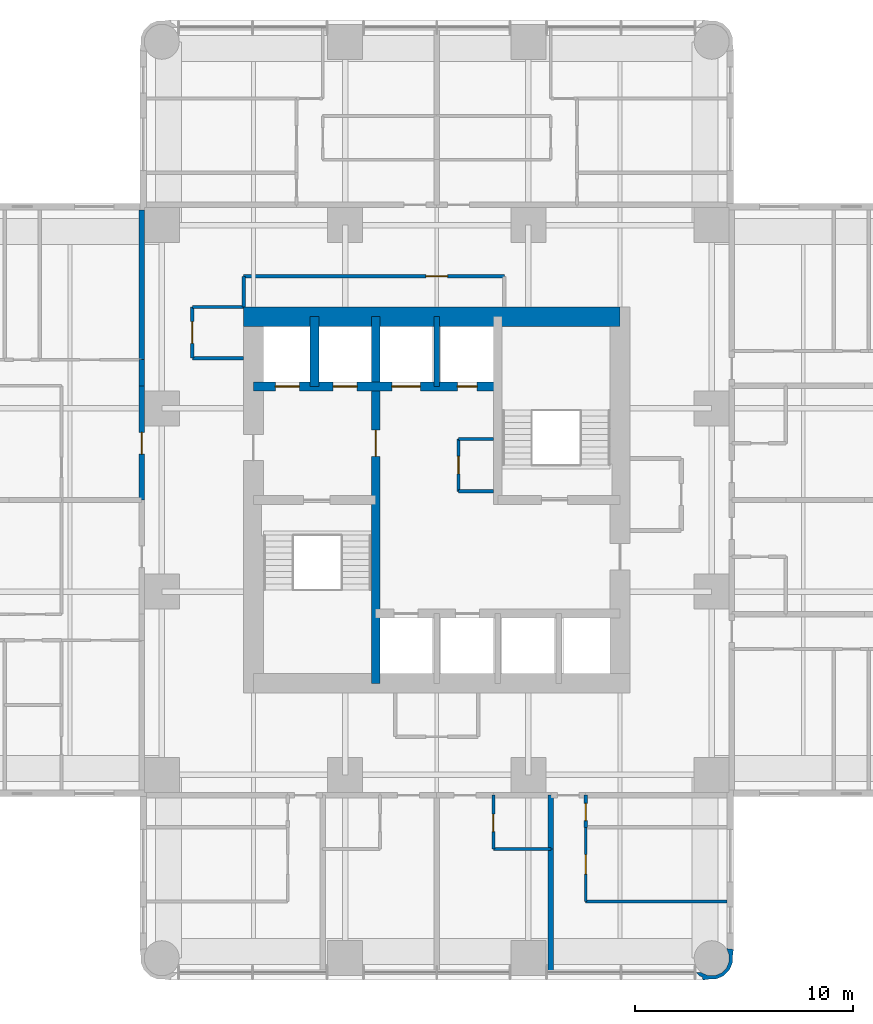
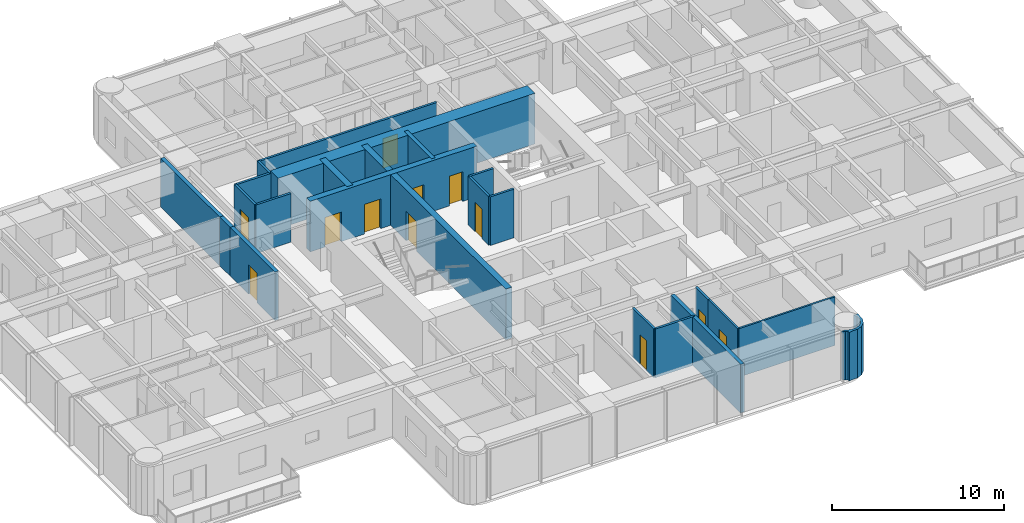
# One storey, part 8 of 14: 24 walls, 12 doors, 12 openings.
"""IFC4 building model written with IfcOpenShell, lengths in metres."""

from ifc_helpers import new_model, si_unit, direction, frame, frame_2d, origin, place, context, subcontext, project, spatial, polyline, rectangle, outline, extrude, material, layer, layer_set, type_object, element, fill, save


model = new_model("IFC4")

# Units and contexts
model_context = context("Model", 3, precision=1e-05, world=origin(), true_north=direction((0.0, 1.0)))
body_context = subcontext(model_context, "Body", "Model", "MODEL_VIEW")
ifc_project = project(units=[si_unit("LENGTHUNIT", "METRE"), si_unit("AREAUNIT", "SQUARE_METRE"), si_unit("VOLUMEUNIT", "CUBIC_METRE"), si_unit("PLANEANGLEUNIT", "RADIAN"), si_unit("MASSUNIT", "GRAM", prefix="KILO")], contexts=[model_context])

# Site, building, storey
site_placement = place(None, origin())
site = spatial("IfcSite", under=ifc_project, at=site_placement, CompositionType="ELEMENT")
building_placement = place(site_placement, origin())
building = spatial("IfcBuilding", under=site, at=building_placement, Name="Torre Alcanfor", CompositionType="ELEMENT")
storey_placement = place(building_placement, frame((0.0, 0.0, 155.699951171875)))
storey = spatial("IfcBuildingStorey", under=building, at=storey_placement, Name="L40", CompositionType="ELEMENT", Elevation=155.699951171875)

# Wall, opening, door
ifc_material_1 = material(Name="Concrete block masonry, hollow blocks NMX-C-404 9 MPa", Category="masonry")
ifc_layer_1 = layer(ifc_material_1, 0.25)
ifc_layer_set_1 = layer_set([ifc_layer_1], Name="Apartment entrance wall 250 EI 60")
wall_type_1 = type_object("IfcWallType", Name="Apartment entrance wall 250 EI 60", PredefinedType="PARTITIONING", material=ifc_layer_set_1)
wall_1_placement = place(storey_placement, frame((15.875, 29.39990234375, 0.0), z_axis=(0.0, 0.0, 1.0), x_axis=(0.0, 1.0, 0.0)))
wall_1 = element("IfcWall", 1, at=wall_1_placement, inside=storey, type_object=wall_type_1, Name="Partition L40-CORR / L40-W2-ZAG", PredefinedType="PARTITIONING", context=body_context, shape_type="SweptSolid", body=[
    extrude(rectangle(XDim=5.22900390625, YDim=0.25, at=frame_2d((2.614501953125, 0.0))), origin(), (0.0, 0.0, 1.0), 3.449951171875),
])
opening_1_placement = place(wall_1_placement, frame((2.10009765625, 0.0, 0.0)))
opening_1 = element("IfcOpeningElement", 2, at=opening_1_placement, cuts=wall_1, Name="Opening D-A1", PredefinedType="OPENING", context=body_context, shape_type="SweptSolid", body=[
    extrude(rectangle(XDim=1.0, YDim=2.10009765625, at=frame_2d((0.5, 1.050048828125))), frame((0.0, 0.135009765625, 0.0), z_axis=(0.0, -1.0, 0.0), x_axis=(1.0, 0.0, 0.0)), (0.0, 0.0, 1.0), 0.27001953125),
])
ifc_material_2 = material(Name="Galvanised steel sheet ASTM A653", Category="steel")
door_type_1 = type_object("IfcDoorType", Name="Apartment entrance door FD60 1000x2100", OperationType="SINGLE_SWING_LEFT", PredefinedType="DOOR", material=ifc_material_2)
door_1_placement = place(opening_1_placement, origin())
door_1 = element("IfcDoor", 3, at=door_1_placement, inside=storey, type_object=door_type_1, Name="Apartment entrance L40-W2", OperationType="SINGLE_SWING_LEFT", OverallHeight=2.10009765625, OverallWidth=1.0, PredefinedType="DOOR", context=body_context, shape_type="SweptSolid", body=[
    extrude(rectangle(XDim=1.0, YDim=2.10009765625, at=frame_2d((0.5, 1.050048828125))), frame((0.0, 0.02490234375, 0.0), z_axis=(0.0, -1.0, 0.0), x_axis=(1.0, 0.0, 0.0)), (0.0, 0.0, 1.0), 0.050048828125),
])
fill(opening_1, door_1)

# Walls
wall_2_placement = place(storey_placement, frame((15.875, 34.62890625, 0.0), z_axis=(0.0, 0.0, 1.0), x_axis=(0.0, 1.0, 0.0)))
element("IfcWall", 4, at=wall_2_placement, inside=storey, type_object=wall_type_1, Name="Partition L40-CORR / L40-W2-HALL", PredefinedType="PARTITIONING", context=body_context, shape_type="SweptSolid", body=[
    extrude(rectangle(XDim=1.2001953125, YDim=0.25, at=frame_2d((0.60009765625, 0.0))), origin(), (0.0, 0.0, 1.0), 3.449951171875),
])
wall_3_placement = place(storey_placement, frame((15.875, 35.8291015625, 0.0), z_axis=(0.0, 0.0, 1.0), x_axis=(0.0, 1.0, 0.0)))
element("IfcWall", 5, at=wall_3_placement, inside=storey, type_object=wall_type_1, Name="Partition L40-CORR / L40-W2-BED3", PredefinedType="PARTITIONING", context=body_context, shape_type="SweptSolid", body=[
    extrude(rectangle(XDim=6.870849609375, YDim=0.25, at=frame_2d((3.435546875, 0.0))), origin(), (0.0, 0.0, 1.0), 3.449951171875),
])

# Wall, opening, door
ifc_material_3 = material(Name="Gypsum board on steel studs", Category="steel")
ifc_layer_2 = layer(ifc_material_3, 0.1201171875)
ifc_layer_set_2 = layer_set([ifc_layer_2], Name="Apartment partition 120")
wall_type_2 = type_object("IfcWallType", Name="Apartment partition 120", PredefinedType="PARTITIONING", material=ifc_layer_set_2)
wall_4_placement = place(storey_placement, frame((36.22900390625, 14.39990234375, 0.0), z_axis=(0.0, 0.0, 1.0), x_axis=(0.0, -1.0, 0.0)))
wall_4 = element("IfcWall", 6, at=wall_4_placement, inside=storey, type_object=wall_type_2, Name="Partition L40-S1B-LIVING / L40-S1B-MASTER", PredefinedType="PARTITIONING", context=body_context, shape_type="SweptSolid", body=[
    extrude(rectangle(XDim=3.39990234375, YDim=0.1201171875, at=frame_2d((1.699951171875, 0.0))), origin(), (0.0, 0.0, 1.0), 3.449951171875),
])
opening_2_placement = place(wall_4_placement, frame((1.25, 0.0, 0.0)))
opening_2 = element("IfcOpeningElement", 7, at=opening_2_placement, cuts=wall_4, Name="Opening D-R1", PredefinedType="OPENING", context=body_context, shape_type="SweptSolid", body=[
    extrude(rectangle(XDim=0.89990234375, YDim=2.10009765625, at=frame_2d((0.449951171875, 1.050048828125))), frame((0.0, 0.070068359375, 0.0), z_axis=(0.0, -1.0, 0.0), x_axis=(1.0, 0.0, 0.0)), (0.0, 0.0, 1.0), 0.14013671875),
])
ifc_material_4 = material(Name="Timber", Category="wood")
door_type_2 = type_object("IfcDoorType", Name="Internal door 900x2100", OperationType="SINGLE_SWING_LEFT", PredefinedType="DOOR", material=ifc_material_4)
door_2_placement = place(opening_2_placement, origin())
door_2 = element("IfcDoor", 8, at=door_2_placement, inside=storey, type_object=door_type_2, Name="Door L40-S1B master", OperationType="SINGLE_SWING_LEFT", OverallHeight=2.10009765625, OverallWidth=0.89990234375, PredefinedType="DOOR", context=body_context, shape_type="SweptSolid", body=[
    extrude(rectangle(XDim=0.89990234375, YDim=2.10009765625, at=frame_2d((0.449951171875, 1.050048828125))), frame((0.0, 0.02490234375, 0.0), z_axis=(0.0, -1.0, 0.0), x_axis=(1.0, 0.0, 0.0)), (0.0, 0.0, 1.0), 0.050048828125),
])
fill(opening_2, door_2)

# Wall
wall_5_placement = place(storey_placement, frame((36.22900390625, 11.0, 0.0), z_axis=(0.0, 0.0, 1.0), x_axis=(1.0, 0.0, 0.0)))
element("IfcWall", 9, at=wall_5_placement, inside=storey, type_object=wall_type_2, Name="Partition L40-S1B-LIVING / L40-S1B-MASTER", PredefinedType="PARTITIONING", context=body_context, shape_type="SweptSolid", body=[
    extrude(rectangle(XDim=6.470947265625, YDim=0.1201171875, at=frame_2d((3.2353515625, 0.0))), origin(), (0.0, 0.0, 1.0), 3.449951171875),
])

# Wall, opening, door
ifc_material_5 = material(Name="Concrete f'c 70 MPa", Category="concrete")
ifc_layer_3 = layer(ifc_material_5, 0.39990234375)
ifc_layer_set_3 = layer_set([ifc_layer_3], Name="Core inner wall 400 f'c70")
wall_type_3 = type_object("IfcWallType", Name="Core inner wall 400 f'c70", PredefinedType="SHEAR", material=ifc_layer_set_3)
wall_6_placement = place(storey_placement, frame((26.60009765625, 21.0, 0.0), z_axis=(0.0, 0.0, 1.0), x_axis=(0.0, 1.0, 0.0)))
wall_6 = element("IfcWall", 10, at=wall_6_placement, inside=storey, type_object=wall_type_3, Name="Core wall X266 L40", PredefinedType="SHEAR", context=body_context, shape_type="SweptSolid", body=[
    extrude(rectangle(XDim=16.800048828125, YDim=0.39990234375, at=frame_2d((8.39990234375, 0.0))), origin(), (0.0, 0.0, 1.0), 3.60009765625),
])
opening_3_placement = place(wall_6_placement, frame((10.39990234375, 0.0, 0.0)))
opening_3 = element("IfcOpeningElement", 11, at=opening_3_placement, cuts=wall_6, Name="Opening D-L1", PredefinedType="OPENING", context=body_context, shape_type="SweptSolid", body=[
    extrude(rectangle(XDim=1.199951171875, YDim=2.10009765625, at=frame_2d((0.60009765625, 1.050048828125))), frame((0.0, 0.2099609375, 0.0), z_axis=(0.0, -1.0, 0.0), x_axis=(1.0, 0.0, 0.0)), (0.0, 0.0, 1.0), 0.419921875),
])
ifc_material_6 = material(Name="Galvanised steel sheet ASTM A653", Category="steel")
door_type_3 = type_object("IfcDoorType", Name="Lobby door FD120 1200x2100", OperationType="SINGLE_SWING_LEFT", PredefinedType="DOOR", material=ifc_material_6)
door_3_placement = place(opening_3_placement, origin())
door_3 = element("IfcDoor", 12, at=door_3_placement, inside=storey, type_object=door_type_3, Name="Lift lobby door L40", OperationType="SINGLE_SWING_LEFT", OverallHeight=2.10009765625, OverallWidth=1.199951171875, PredefinedType="DOOR", context=body_context, shape_type="SweptSolid", body=[
    extrude(rectangle(XDim=1.199951171875, YDim=2.10009765625, at=frame_2d((0.60009765625, 1.050048828125))), frame((0.0, 0.02490234375, 0.0), z_axis=(0.0, -1.0, 0.0), x_axis=(1.0, 0.0, 0.0)), (0.0, 0.0, 1.0), 0.050048828125),
])
fill(opening_3, door_3)

# Wall, openings, doors
wall_7_placement = place(storey_placement, frame((21.0, 34.60009765625, 0.0), z_axis=(0.0, 0.0, 1.0), x_axis=(1.0, 0.0, 0.0)))
wall_7 = element("IfcWall", 13, at=wall_7_placement, inside=storey, type_object=wall_type_3, Name="Core wall Y346 L40", PredefinedType="SHEAR", context=body_context, shape_type="SweptSolid", body=[
    extrude(rectangle(XDim=11.199951171875, YDim=0.39990234375, at=frame_2d((5.60009765625, 0.0))), origin(), (0.0, 0.0, 1.0), 3.60009765625),
])
opening_4_placement = place(wall_7_placement, frame((9.35009765625, 0.0, 0.0)))
opening_4 = element("IfcOpeningElement", 14, at=opening_4_placement, cuts=wall_7, Name="Opening D-Q1", PredefinedType="OPENING", context=body_context, shape_type="SweptSolid", body=[
    extrude(rectangle(XDim=0.89990234375, YDim=2.10009765625, at=frame_2d((0.449951171875, 1.050048828125))), frame((0.0, 0.2099609375, 0.0), z_axis=(0.0, -1.0, 0.0), x_axis=(1.0, 0.0, 0.0)), (0.0, 0.0, 1.0), 0.419921875),
])
opening_5_placement = place(wall_7_placement, frame((1.0, 0.0, 0.0)))
opening_5 = element("IfcOpeningElement", 15, at=opening_5_placement, cuts=wall_7, Name="Opening LD2", PredefinedType="OPENING", context=body_context, shape_type="SweptSolid", body=[
    extrude(rectangle(XDim=1.10009765625, YDim=2.10009765625, at=frame_2d((0.550048828125, 1.050048828125))), frame((0.0, 0.2099609375, 0.0), z_axis=(0.0, -1.0, 0.0), x_axis=(1.0, 0.0, 0.0)), (0.0, 0.0, 1.0), 0.419921875),
])
opening_6_placement = place(wall_7_placement, frame((3.64990234375, 0.0, 0.0)))
opening_6 = element("IfcOpeningElement", 16, at=opening_6_placement, cuts=wall_7, Name="Opening LD2", PredefinedType="OPENING", context=body_context, shape_type="SweptSolid", body=[
    extrude(rectangle(XDim=1.10009765625, YDim=2.10009765625, at=frame_2d((0.550048828125, 1.050048828125))), frame((0.0, 0.2099609375, 0.0), z_axis=(0.0, -1.0, 0.0), x_axis=(1.0, 0.0, 0.0)), (0.0, 0.0, 1.0), 0.419921875),
])
opening_7_placement = place(wall_7_placement, frame((6.35009765625, 0.0, 0.0)))
opening_7 = element("IfcOpeningElement", 17, at=opening_7_placement, cuts=wall_7, Name="Opening LD3", PredefinedType="OPENING", context=body_context, shape_type="SweptSolid", body=[
    extrude(rectangle(XDim=1.300048828125, YDim=2.10009765625, at=frame_2d((0.64990234375, 1.050048828125))), frame((0.0, 0.2099609375, 0.0), z_axis=(0.0, -1.0, 0.0), x_axis=(1.0, 0.0, 0.0)), (0.0, 0.0, 1.0), 0.419921875),
])
ifc_material_7 = material(Name="Galvanised steel sheet ASTM A653", Category="steel")
door_type_4 = type_object("IfcDoorType", Name="Firefighting lift landing door 1100x2100", OperationType="DOUBLE_DOOR_SLIDING", PredefinedType="DOOR", material=ifc_material_7)
door_4_placement = place(opening_5_placement, origin())
door_4 = element("IfcDoor", 18, at=door_4_placement, inside=storey, type_object=door_type_4, Name="Lift landing door FL1 L40", OperationType="DOUBLE_DOOR_SLIDING", OverallHeight=2.10009765625, OverallWidth=1.10009765625, PredefinedType="DOOR", context=body_context, shape_type="SweptSolid", body=[
    extrude(rectangle(XDim=1.10009765625, YDim=2.10009765625, at=frame_2d((0.550048828125, 1.050048828125))), frame((0.0, 0.02490234375, 0.0), z_axis=(0.0, -1.0, 0.0), x_axis=(1.0, 0.0, 0.0)), (0.0, 0.0, 1.0), 0.050048828125),
])
fill(opening_5, door_4)
door_5_placement = place(opening_6_placement, origin())
door_5 = element("IfcDoor", 19, at=door_5_placement, inside=storey, type_object=door_type_4, Name="Lift landing door FL2 L40", OperationType="DOUBLE_DOOR_SLIDING", OverallHeight=2.10009765625, OverallWidth=1.10009765625, PredefinedType="DOOR", context=body_context, shape_type="SweptSolid", body=[
    extrude(rectangle(XDim=1.10009765625, YDim=2.10009765625, at=frame_2d((0.550048828125, 1.050048828125))), frame((0.0, 0.02490234375, 0.0), z_axis=(0.0, -1.0, 0.0), x_axis=(1.0, 0.0, 0.0)), (0.0, 0.0, 1.0), 0.050048828125),
])
fill(opening_6, door_5)
ifc_material_8 = material(Name="Galvanised steel sheet ASTM A653", Category="steel")
door_type_5 = type_object("IfcDoorType", Name="Riser access door FD120 900x2100", OperationType="SINGLE_SWING_LEFT", PredefinedType="DOOR", material=ifc_material_8)
door_6_placement = place(opening_4_placement, origin())
door_6 = element("IfcDoor", 20, at=door_6_placement, inside=storey, type_object=door_type_5, Name="Riser door L40", OperationType="SINGLE_SWING_LEFT", OverallHeight=2.10009765625, OverallWidth=0.89990234375, PredefinedType="DOOR", context=body_context, shape_type="SweptSolid", body=[
    extrude(rectangle(XDim=0.89990234375, YDim=2.10009765625, at=frame_2d((0.449951171875, 1.050048828125))), frame((0.0, 0.02490234375, 0.0), z_axis=(0.0, -1.0, 0.0), x_axis=(1.0, 0.0, 0.0)), (0.0, 0.0, 1.0), 0.050048828125),
])
fill(opening_4, door_6)
ifc_material_9 = material(Name="Galvanised steel sheet ASTM A653", Category="steel")
door_type_6 = type_object("IfcDoorType", Name="Service lift landing door 1300x2100", OperationType="DOUBLE_DOOR_SLIDING", PredefinedType="DOOR", material=ifc_material_9)
door_7_placement = place(opening_7_placement, origin())
door_7 = element("IfcDoor", 21, at=door_7_placement, inside=storey, type_object=door_type_6, Name="Lift landing door SL1 L40", OperationType="DOUBLE_DOOR_SLIDING", OverallHeight=2.10009765625, OverallWidth=1.300048828125, PredefinedType="DOOR", context=body_context, shape_type="SweptSolid", body=[
    extrude(rectangle(XDim=1.300048828125, YDim=2.10009765625, at=frame_2d((0.64990234375, 1.050048828125))), frame((0.0, 0.02490234375, 0.0), z_axis=(0.0, -1.0, 0.0), x_axis=(1.0, 0.0, 0.0)), (0.0, 0.0, 1.0), 0.050048828125),
])
fill(opening_7, door_7)

# Walls
wall_8_placement = place(storey_placement, frame((23.800048828125, 34.60009765625, 0.0), z_axis=(0.0, 0.0, 1.0), x_axis=(0.0, 1.0, 0.0)))
element("IfcWall", 22, at=wall_8_placement, inside=storey, type_object=wall_type_3, Name="Core wall X238 L40", PredefinedType="SHEAR", context=body_context, shape_type="SweptSolid", body=[
    extrude(rectangle(XDim=3.199951171875, YDim=0.39990234375, at=frame_2d((1.60009765625, 0.0))), origin(), (0.0, 0.0, 1.0), 3.60009765625),
])
ifc_material_10 = material(Name="Concrete f'c 70 MPa", Category="concrete")
ifc_layer_4 = layer(ifc_material_10, 0.25)
ifc_layer_set_4 = layer_set([ifc_layer_4], Name="Core shaft wall 250 f'c70")
wall_type_4 = type_object("IfcWallType", Name="Core shaft wall 250 f'c70", PredefinedType="SHEAR", material=ifc_layer_set_4)
wall_9_placement = place(storey_placement, frame((29.39990234375, 34.60009765625, 0.0), z_axis=(0.0, 0.0, 1.0), x_axis=(0.0, 1.0, 0.0)))
element("IfcWall", 23, at=wall_9_placement, inside=storey, type_object=wall_type_4, Name="Core wall X294N L40", PredefinedType="SHEAR", context=body_context, shape_type="SweptSolid", body=[
    extrude(rectangle(XDim=3.199951171875, YDim=0.25, at=frame_2d((1.60009765625, 0.0))), origin(), (0.0, 0.0, 1.0), 3.60009765625),
])
ifc_material_11 = material(Name="Concrete f'c 70 MPa", Category="concrete")
ifc_layer_5 = layer(ifc_material_11, 0.89990234375)
ifc_layer_set_5 = layer_set([ifc_layer_5], Name="Core wall 900 f'c70")
wall_type_5 = type_object("IfcWallType", Name="Core wall 900 f'c70", PredefinedType="SHEAR", material=ifc_layer_set_5)
wall_10_placement = place(storey_placement, frame((37.800048828125, 37.800048828125, 0.0), z_axis=(0.0, 0.0, 1.0), x_axis=(-1.0, 0.0, 0.0)))
element("IfcWall", 24, at=wall_10_placement, inside=storey, type_object=wall_type_5, Name="Core wall OUT-N L40", PredefinedType="SHEAR", context=body_context, shape_type="SweptSolid", body=[
    extrude(rectangle(XDim=17.25, YDim=0.89990234375, at=frame_2d((8.625, 0.0))), origin(), (0.0, 0.0, 1.0), 3.60009765625),
])
ifc_material_12 = material(Name="Concrete block masonry, hollow blocks NMX-C-404 9 MPa", Category="masonry")
ifc_layer_6 = layer(ifc_material_12, 0.25)
ifc_layer_set_6 = layer_set([ifc_layer_6], Name="Party wall 250 EI 60")
wall_type_6 = type_object("IfcWallType", Name="Party wall 250 EI 60", PredefinedType="PARTITIONING", material=ifc_layer_set_6)
wall_11_placement = place(storey_placement, frame((34.62890625, 13.39990234375, 0.0), z_axis=(0.0, 0.0, 1.0), x_axis=(0.0, -1.0, 0.0)))
element("IfcWall", 25, at=wall_11_placement, inside=storey, type_object=wall_type_6, Name="Partition L40-S1A-STUDIO / L40-S1B-LIVING", PredefinedType="PARTITIONING", context=body_context, shape_type="SweptSolid", body=[
    extrude(rectangle(XDim=5.64990234375, YDim=0.25, at=frame_2d((2.824951171875, 0.0))), origin(), (0.0, 0.0, 1.0), 3.449951171875),
])
wall_12_placement = place(storey_placement, frame((34.62890625, 13.39990234375, 0.0), z_axis=(0.0, 0.0, 1.0), x_axis=(0.0, 1.0, 0.0)))
element("IfcWall", 26, at=wall_12_placement, inside=storey, type_object=wall_type_6, Name="Partition L40-S1A-BATH / L40-S1B-LIVING", PredefinedType="PARTITIONING", context=body_context, shape_type="SweptSolid", body=[
    extrude(rectangle(XDim=2.47509765625, YDim=0.25, at=frame_2d((1.237548828125, 0.0))), origin(), (0.0, 0.0, 1.0), 3.449951171875),
])

# Wall, opening, door
ifc_material_13 = material(Name="Concrete block masonry, hollow blocks NMX-C-404 9 MPa", Category="masonry")
ifc_layer_7 = layer(ifc_material_13, 0.14990234375)
ifc_layer_set_7 = layer_set([ifc_layer_7], Name="Residents' room partition 150")
wall_type_7 = type_object("IfcWallType", Name="Residents' room partition 150", PredefinedType="PARTITIONING", material=ifc_layer_set_7)
wall_13_placement = place(storey_placement, frame((32.5, 39.64990234375, 0.0), z_axis=(0.0, 0.0, 1.0), x_axis=(-1.0, 0.0, 0.0)))
wall_13 = element("IfcWall", 27, at=wall_13_placement, inside=storey, type_object=wall_type_7, Name="Partition L40-CORR / L40-G01", PredefinedType="PARTITIONING", context=body_context, shape_type="SweptSolid", body=[
    extrude(rectangle(XDim=11.949951171875, YDim=0.14990234375, at=frame_2d((5.97509765625, 0.0))), origin(), (0.0, 0.0, 1.0), 3.449951171875),
])
opening_8_placement = place(wall_13_placement, frame((2.60009765625, 0.0, 0.0)))
opening_8 = element("IfcOpeningElement", 28, at=opening_8_placement, cuts=wall_13, Name="Opening D-M1", PredefinedType="OPENING", context=body_context, shape_type="SweptSolid", body=[
    extrude(rectangle(XDim=1.0, YDim=2.10009765625, at=frame_2d((0.5, 1.050048828125))), frame((0.0, 0.0849609375, 0.0), z_axis=(0.0, -1.0, 0.0), x_axis=(1.0, 0.0, 0.0)), (0.0, 0.0, 1.0), 0.169921875),
])
ifc_material_14 = material(Name="Timber", Category="wood")
door_type_7 = type_object("IfcDoorType", Name="Residents' room door 1000x2100", OperationType="SINGLE_SWING_LEFT", PredefinedType="DOOR", material=ifc_material_14)
door_8_placement = place(opening_8_placement, origin())
door_8 = element("IfcDoor", 29, at=door_8_placement, inside=storey, type_object=door_type_7, Name="Door L40-G01 children's play room", OperationType="SINGLE_SWING_LEFT", OverallHeight=2.10009765625, OverallWidth=1.0, PredefinedType="DOOR", context=body_context, shape_type="SweptSolid", body=[
    extrude(rectangle(XDim=1.0, YDim=2.10009765625, at=frame_2d((0.5, 1.050048828125))), frame((0.0, 0.02490234375, 0.0), z_axis=(0.0, -1.0, 0.0), x_axis=(1.0, 0.0, 0.0)), (0.0, 0.0, 1.0), 0.050048828125),
])
fill(opening_8, door_8)

# Walls
wall_14_placement = place(storey_placement, frame((20.550048828125, 39.64990234375, 0.0), z_axis=(0.0, 0.0, 1.0), x_axis=(0.0, -1.0, 0.0)))
element("IfcWall", 30, at=wall_14_placement, inside=storey, type_object=wall_type_7, Name="Partition L40-CORR / L40-G01", PredefinedType="PARTITIONING", context=body_context, shape_type="SweptSolid", body=[
    extrude(rectangle(XDim=1.39990234375, YDim=0.14990234375, at=frame_2d((0.699951171875, 0.0))), origin(), (0.0, 0.0, 1.0), 3.449951171875),
])
wall_15_placement = place(storey_placement, frame((20.550048828125, 38.25, 0.0), z_axis=(0.0, 0.0, 1.0), x_axis=(-1.0, 0.0, 0.0)))
element("IfcWall", 31, at=wall_15_placement, inside=storey, type_object=wall_type_7, Name="Partition L40-CORR / L40-G04", PredefinedType="PARTITIONING", context=body_context, shape_type="SweptSolid", body=[
    extrude(rectangle(XDim=2.35009765625, YDim=0.14990234375, at=frame_2d((1.175048828125, 0.0))), origin(), (0.0, 0.0, 1.0), 3.449951171875),
])

# Wall, opening, door
wall_16_placement = place(storey_placement, frame((18.199951171875, 38.25, 0.0), z_axis=(0.0, 0.0, 1.0), x_axis=(0.0, -1.0, 0.0)))
wall_16 = element("IfcWall", 32, at=wall_16_placement, inside=storey, type_object=wall_type_7, Name="Partition L40-CORR / L40-G04", PredefinedType="PARTITIONING", context=body_context, shape_type="SweptSolid", body=[
    extrude(rectangle(XDim=2.35009765625, YDim=0.14990234375, at=frame_2d((1.175048828125, 0.0))), origin(), (0.0, 0.0, 1.0), 3.449951171875),
])
opening_9_placement = place(wall_16_placement, frame((0.675048828125, 0.0, 0.0)))
opening_9 = element("IfcOpeningElement", 33, at=opening_9_placement, cuts=wall_16, Name="Opening D-M1", PredefinedType="OPENING", context=body_context, shape_type="SweptSolid", body=[
    extrude(rectangle(XDim=1.0, YDim=2.10009765625, at=frame_2d((0.5, 1.050048828125))), frame((0.0, 0.0849609375, 0.0), z_axis=(0.0, -1.0, 0.0), x_axis=(1.0, 0.0, 0.0)), (0.0, 0.0, 1.0), 0.169921875),
])
door_9_placement = place(opening_9_placement, origin())
door_9 = element("IfcDoor", 34, at=door_9_placement, inside=storey, type_object=door_type_7, Name="Door L40-G04 parcel room", OperationType="SINGLE_SWING_LEFT", OverallHeight=2.10009765625, OverallWidth=1.0, PredefinedType="DOOR", context=body_context, shape_type="SweptSolid", body=[
    extrude(rectangle(XDim=1.0, YDim=2.10009765625, at=frame_2d((0.5, 1.050048828125))), frame((0.0, 0.02490234375, 0.0), z_axis=(0.0, -1.0, 0.0), x_axis=(1.0, 0.0, 0.0)), (0.0, 0.0, 1.0), 0.050048828125),
])
fill(opening_9, door_9)

# Walls
wall_17_placement = place(storey_placement, frame((18.199951171875, 35.89990234375, 0.0), z_axis=(0.0, 0.0, 1.0), x_axis=(1.0, 0.0, 0.0)))
element("IfcWall", 35, at=wall_17_placement, inside=storey, type_object=wall_type_7, Name="Partition L40-CORR / L40-G04", PredefinedType="PARTITIONING", context=body_context, shape_type="SweptSolid", body=[
    extrude(rectangle(XDim=2.35009765625, YDim=0.14990234375, at=frame_2d((1.175048828125, 0.0))), origin(), (0.0, 0.0, 1.0), 3.449951171875),
])
wall_18_placement = place(storey_placement, frame((32.0, 29.800048828125, 0.0), z_axis=(0.0, 0.0, 1.0), x_axis=(-1.0, 0.0, 0.0)))
element("IfcWall", 36, at=wall_18_placement, inside=storey, type_object=wall_type_7, Name="Partition L40-LL / L40-CR1", PredefinedType="PARTITIONING", context=body_context, shape_type="SweptSolid", body=[
    extrude(rectangle(XDim=1.60009765625, YDim=0.14990234375, at=frame_2d((0.800048828125, 0.0))), origin(), (0.0, 0.0, 1.0), 3.449951171875),
])

# Wall, opening, door
wall_19_placement = place(storey_placement, frame((30.39990234375, 29.800048828125, 0.0), z_axis=(0.0, 0.0, 1.0), x_axis=(0.0, 1.0, 0.0)))
wall_19 = element("IfcWall", 37, at=wall_19_placement, inside=storey, type_object=wall_type_7, Name="Partition L40-LL / L40-CR1", PredefinedType="PARTITIONING", context=body_context, shape_type="SweptSolid", body=[
    extrude(rectangle(XDim=2.39990234375, YDim=0.14990234375, at=frame_2d((1.199951171875, 0.0))), origin(), (0.0, 0.0, 1.0), 3.449951171875),
])
opening_10_placement = place(wall_19_placement, frame((0.800048828125, 0.0, 0.0)))
opening_10 = element("IfcOpeningElement", 38, at=opening_10_placement, cuts=wall_19, Name="Opening D-R2", PredefinedType="OPENING", context=body_context, shape_type="SweptSolid", body=[
    extrude(rectangle(XDim=0.800048828125, YDim=2.10009765625, at=frame_2d((0.39990234375, 1.050048828125))), frame((0.0, 0.0849609375, 0.0), z_axis=(0.0, -1.0, 0.0), x_axis=(1.0, 0.0, 0.0)), (0.0, 0.0, 1.0), 0.169921875),
])
ifc_material_15 = material(Name="Timber", Category="wood")
door_type_8 = type_object("IfcDoorType", Name="Bathroom door 800x2100", OperationType="SINGLE_SWING_LEFT", PredefinedType="DOOR", material=ifc_material_15)
door_10_placement = place(opening_10_placement, frame((0.800048828125, 0.0, 0.0), z_axis=(0.0, 0.0, 1.0), x_axis=(-1.0, 0.0, 0.0)))
door_10 = element("IfcDoor", 39, at=door_10_placement, inside=storey, type_object=door_type_8, Name="Cleaners' store door L40", OperationType="SINGLE_SWING_RIGHT", OverallHeight=2.10009765625, OverallWidth=0.800048828125, PredefinedType="DOOR", context=body_context, shape_type="SweptSolid", body=[
    extrude(rectangle(XDim=0.800048828125, YDim=2.10009765625, at=frame_2d((0.400146484375, 1.050048828125))), frame((0.0, 0.025146484375, 0.0), z_axis=(0.0, -1.0, 0.0), x_axis=(1.0, 0.0, 0.0)), (0.0, 0.0, 1.0), 0.050048828125),
])
fill(opening_10, door_10)

# Walls
wall_20_placement = place(storey_placement, frame((30.39990234375, 32.199951171875, 0.0), z_axis=(0.0, 0.0, 1.0), x_axis=(1.0, 0.0, 0.0)))
element("IfcWall", 40, at=wall_20_placement, inside=storey, type_object=wall_type_7, Name="Partition L40-LL / L40-CR1", PredefinedType="PARTITIONING", context=body_context, shape_type="SweptSolid", body=[
    extrude(rectangle(XDim=1.60009765625, YDim=0.14990234375, at=frame_2d((0.800048828125, 0.0))), origin(), (0.0, 0.0, 1.0), 3.449951171875),
])
ifc_material_16 = material(Name="Limestone cladding", Category="masonry")
ifc_layer_8 = layer(ifc_material_16, 0.0400390625, Name="Facing")
ifc_material_17 = material(Name="Ventilated air cavity")
ifc_layer_9 = layer(ifc_material_17, 0.02001953125, ventilated=True, Name="Ventilated joint")
ifc_material_18 = material(Name="Mineral wool insulation", Category="insulation")
ifc_layer_10 = layer(ifc_material_18, 0.10009765625, Name="Insulation")
ifc_material_19 = material(Name="Concrete f'c 35 MPa", Category="concrete")
ifc_layer_11 = layer(ifc_material_19, 0.139892578125, Name="Backing")
ifc_layer_set_8 = layer_set([ifc_layer_8, ifc_layer_9, ifc_layer_10, ifc_layer_11], Name="Rounded corner pier stone-clad 300")
wall_type_8 = type_object("IfcWallType", Name="Rounded corner pier stone-clad 300", PredefinedType="SOLIDWALL", material=ifc_layer_set_8)
wall_21_placement = place(storey_placement, frame((41.351928198, 7.804682488, 0.0), z_axis=(0.0, 0.0, 1.0), x_axis=(0.343276641956, -0.93923434088, 0.0)))
element("IfcWall", 41, at=wall_21_placement, inside=storey, type_object=wall_type_8, Name="Corner pier L40 16", PredefinedType="SOLIDWALL", context=body_context, shape_type="SweptSolid", body=[
    extrude(outline(polyline([(-0.3691376945080963, 1.8896116474277462), (-0.5092849006082865, 1.6213723434863179), (-0.4904818693699753, 1.614500106025285), (-0.47937395557818696, 1.6086207727425919), (-0.21134604487110653, 1.620093396259431), (0.08789731812884549, 1.5107242513003132), (0.3226193813038204, 1.29522875171589), (0.4568297522668325, 1.0059961170728082), (0.47018090116819644, 0.6876338955306306), (0.3608955639829935, 0.3886198377896824), (0.14540006439857034, 0.15389777461470747), (0.10805580570731482, 0.136354268630141), (0.030952653705484567, -0.07460656965335008), (0.24105149879401783, 0.023022242841209073), (0.33345144333490195, 0.12363819812835387), (0.46537419024986754, 0.09413770889727405), (0.5320249985235461, 0.39313792602006), (0.6305829406476248, 0.6628009106085226), (0.6143313238115743, 1.0443478664441104), (0.4534111053034037, 1.390650880852334), (0.17226586261802523, 1.6491069643028293), (-0.09739712197043726, 1.7476649064269079), (-0.3691376945080963, 1.8896116474277462)])), origin(), (0.0, 0.0, 1.0), 3.449951171875),
])

# Wall, opening, door
ifc_material_20 = material(Name="Cement board on steel studs", Category="steel")
ifc_layer_12 = layer(ifc_material_20, 0.14990234375)
ifc_layer_set_9 = layer_set([ifc_layer_12], Name="Wet area partition 150")
wall_type_9 = type_object("IfcWallType", Name="Wet area partition 150", PredefinedType="PARTITIONING", material=ifc_layer_set_9)
wall_22_placement = place(storey_placement, frame((32.0, 15.875, 0.0), z_axis=(0.0, 0.0, 1.0), x_axis=(0.0, -1.0, 0.0)))
wall_22 = element("IfcWall", 42, at=wall_22_placement, inside=storey, type_object=wall_type_9, Name="Partition L40-S1A-STUDIO / L40-S1A-BATH", PredefinedType="PARTITIONING", context=body_context, shape_type="SweptSolid", body=[
    extrude(rectangle(XDim=2.47509765625, YDim=0.14990234375, at=frame_2d((1.237548828125, 0.0))), origin(), (0.0, 0.0, 1.0), 3.449951171875),
])
opening_11_placement = place(wall_22_placement, frame((0.875, 0.0, 0.0)))
opening_11 = element("IfcOpeningElement", 43, at=opening_11_placement, cuts=wall_22, Name="Opening D-R2", PredefinedType="OPENING", context=body_context, shape_type="SweptSolid", body=[
    extrude(rectangle(XDim=0.800048828125, YDim=2.10009765625, at=frame_2d((0.39990234375, 1.050048828125))), frame((0.0, 0.0849609375, 0.0), z_axis=(0.0, -1.0, 0.0), x_axis=(1.0, 0.0, 0.0)), (0.0, 0.0, 1.0), 0.169921875),
])
door_11_placement = place(opening_11_placement, origin())
door_11 = element("IfcDoor", 44, at=door_11_placement, inside=storey, type_object=door_type_8, Name="Door L40-S1A bath", OperationType="SINGLE_SWING_RIGHT", OverallHeight=2.10009765625, OverallWidth=0.800048828125, PredefinedType="DOOR", context=body_context, shape_type="SweptSolid", body=[
    extrude(rectangle(XDim=0.800048828125, YDim=2.10009765625, at=frame_2d((0.39990234375, 1.050048828125))), frame((0.0, 0.02490234375, 0.0), z_axis=(0.0, -1.0, 0.0), x_axis=(1.0, 0.0, 0.0)), (0.0, 0.0, 1.0), 0.050048828125),
])
fill(opening_11, door_11)

# Wall
wall_23_placement = place(storey_placement, frame((32.0, 13.39990234375, 0.0), z_axis=(0.0, 0.0, 1.0), x_axis=(1.0, 0.0, 0.0)))
element("IfcWall", 45, at=wall_23_placement, inside=storey, type_object=wall_type_9, Name="Partition L40-S1A-STUDIO / L40-S1A-BATH", PredefinedType="PARTITIONING", context=body_context, shape_type="SweptSolid", body=[
    extrude(rectangle(XDim=2.62890625, YDim=0.14990234375, at=frame_2d((1.314453125, 0.0))), origin(), (0.0, 0.0, 1.0), 3.449951171875),
])

# Wall, opening, door
wall_24_placement = place(storey_placement, frame((36.22900390625, 15.875, 0.0), z_axis=(0.0, 0.0, 1.0), x_axis=(0.0, -1.0, 0.0)))
wall_24 = element("IfcWall", 46, at=wall_24_placement, inside=storey, type_object=wall_type_9, Name="Partition L40-S1B-LIVING / L40-S1B-BATH", PredefinedType="PARTITIONING", context=body_context, shape_type="SweptSolid", body=[
    extrude(rectangle(XDim=1.47509765625, YDim=0.14990234375, at=frame_2d((0.737548828125, 0.0))), origin(), (0.0, 0.0, 1.0), 3.449951171875),
])
opening_12_placement = place(wall_24_placement, frame((0.375, 0.0, 0.0)))
opening_12 = element("IfcOpeningElement", 47, at=opening_12_placement, cuts=wall_24, Name="Opening D-R2", PredefinedType="OPENING", context=body_context, shape_type="SweptSolid", body=[
    extrude(rectangle(XDim=0.800048828125, YDim=2.10009765625, at=frame_2d((0.39990234375, 1.050048828125))), frame((0.0, 0.0849609375, 0.0), z_axis=(0.0, -1.0, 0.0), x_axis=(1.0, 0.0, 0.0)), (0.0, 0.0, 1.0), 0.169921875),
])
door_12_placement = place(opening_12_placement, origin())
door_12 = element("IfcDoor", 48, at=door_12_placement, inside=storey, type_object=door_type_8, Name="Door L40-S1B bath", OperationType="SINGLE_SWING_RIGHT", OverallHeight=2.10009765625, OverallWidth=0.800048828125, PredefinedType="DOOR", context=body_context, shape_type="SweptSolid", body=[
    extrude(rectangle(XDim=0.800048828125, YDim=2.10009765625, at=frame_2d((0.39990234375, 1.050048828125))), frame((0.0, 0.02490234375, 0.0), z_axis=(0.0, -1.0, 0.0), x_axis=(1.0, 0.0, 0.0)), (0.0, 0.0, 1.0), 0.050048828125),
])
fill(opening_12, door_12)

save(model, "model.ifc")
